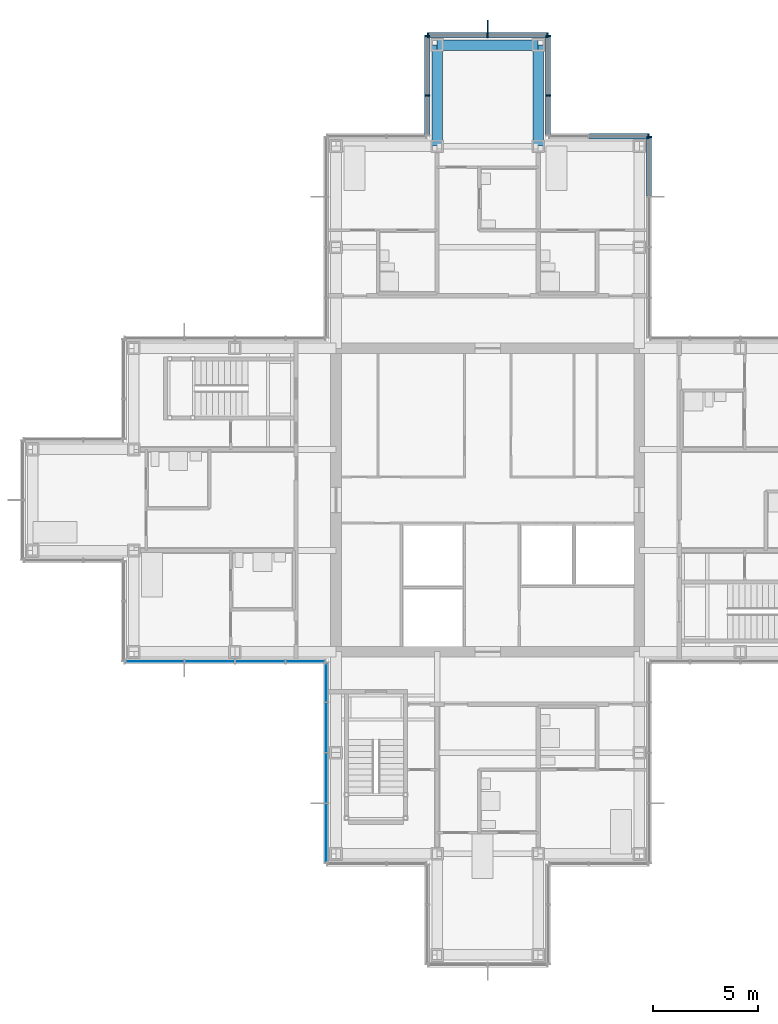
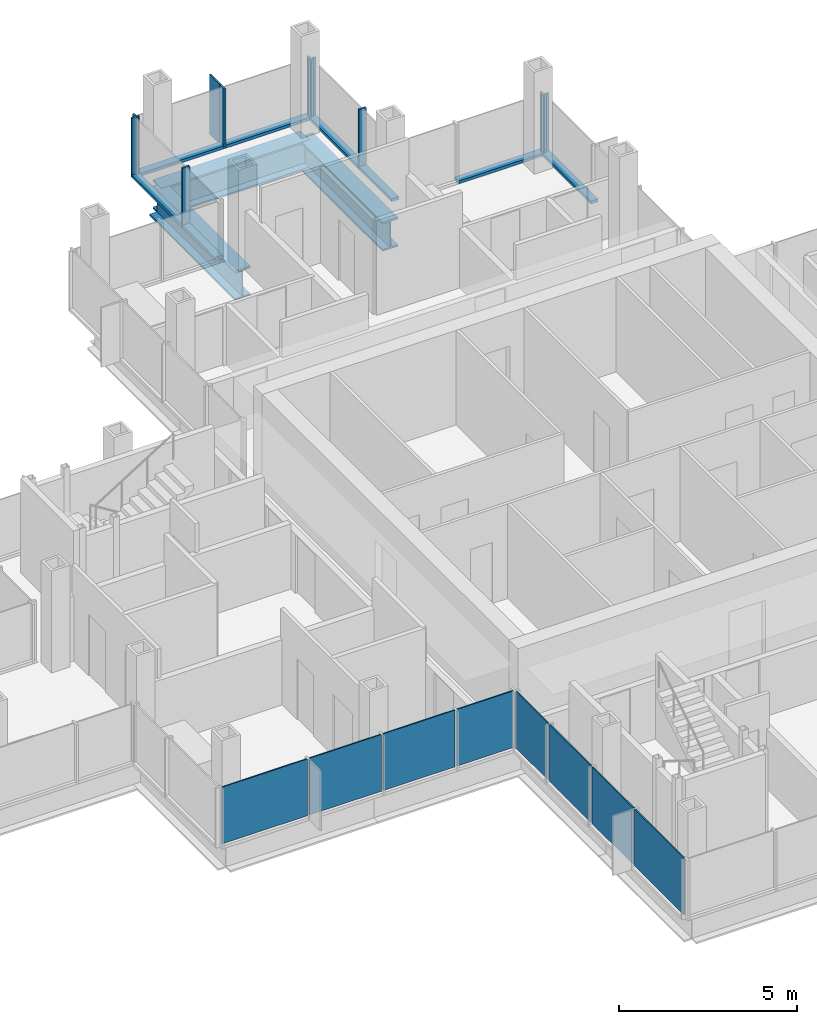
# One storey, part 9 of 17: 18 members, 8 plates, 3 beams, 7 elements without a shape of their own.
"""IFC4 building model written with IfcOpenShell, lengths in metres."""

from ifc_helpers import new_model, si_unit, direction, frame, origin, origin_2d, place, context, subcontext, project, spatial, rectangle, i_section, extrude, material, layer, layer_set, material_profile, profile_set, type_object, element, aggregate, save


model = new_model("IFC4")

# Units and contexts
model_context = context("Model", 3, precision=1e-05, world=origin(), true_north=direction((0.0, 1.0)))
body_context = subcontext(model_context, "Body", "Model", "MODEL_VIEW")
ifc_project = project(units=[si_unit("LENGTHUNIT", "METRE"), si_unit("AREAUNIT", "SQUARE_METRE"), si_unit("VOLUMEUNIT", "CUBIC_METRE"), si_unit("PLANEANGLEUNIT", "RADIAN"), si_unit("MASSUNIT", "GRAM", prefix="KILO")], contexts=[model_context])

# Site, building, storey
site_placement = place(None, origin())
site = spatial("IfcSite", under=ifc_project, at=site_placement, CompositionType="ELEMENT")
building_placement = place(site_placement, origin())
building = spatial("IfcBuilding", under=site, at=building_placement, Name="Kvirike Care Tower", CompositionType="ELEMENT")
storey_placement = place(building_placement, frame((0.0, 0.0, 186.5)))
storey = spatial("IfcBuildingStorey", under=building, at=storey_placement, Name="L51", CompositionType="ELEMENT", Elevation=186.5)

# Curtain wall, member
ifc_material_1 = material(Name="Anodised aluminium stick system", Category="aluminium")
curtain_wall_type = type_object("IfcCurtainWallType", Name="CW-C STICK CURTAIN WALL", PredefinedType="NOTDEFINED", material=ifc_material_1)
curtain_wall_1_placement = place(storey_placement, origin())
curtain_wall_1 = element("IfcCurtainWall", 1, at=curtain_wall_1_placement, inside=storey, type_object=curtain_wall_type, Name="Curtain wall L51 face 11", PredefinedType="NOTDEFINED")
ifc_material_2 = material(Name="Bronze anodised aluminium fin", Category="aluminium")
ifc_material_profile_1 = material_profile(ifc_material_2, rectangle(XDim=0.050048828125, YDim=0.60009765625, at=origin_2d()), Name="BRONZE FIN 600")
ifc_profile_set_1 = profile_set([ifc_material_profile_1], Name="Bronze anodised aluminium fin")
member_type_1 = type_object("IfcMemberType", Name="BRONZE FIN 600", PredefinedType="USERDEFINED", material=ifc_profile_set_1)
member_1_placement = place(storey_placement, frame((21.60009765625, 58.489990234375, 0.0), z_axis=(0.0, 0.0, 1.0), x_axis=(-1.0, 0.0, 0.0)))
member_1 = element("IfcMember", 2, at=member_1_placement, type_object=member_type_1, Name="Bronze fin L51 face 11.2", ObjectType="FIN", PredefinedType="USERDEFINED", context=body_context, shape_type="SweptSolid", body=[
    extrude(rectangle(XDim=0.050048828125, YDim=0.60009765625, at=origin_2d()), origin(), (0.0, 0.0, 1.0), 2.050048828125),
])

curtain_wall_2_placement = place(storey_placement, origin())
curtain_wall_2 = element("IfcCurtainWall", 3, at=curtain_wall_2_placement, inside=storey, type_object=curtain_wall_type, Name="Curtain wall L51 face 8", PredefinedType="NOTDEFINED")
ifc_material_3 = material(Name="Bronze anodised aluminium mullion", Category="aluminium")
ifc_material_profile_2 = material_profile(ifc_material_3, rectangle(XDim=0.06494140625, YDim=0.239990234375, at=origin_2d()), Name="CW-C MULLION 65x240")
ifc_profile_set_2 = profile_set([ifc_material_profile_2], Name="Bronze anodised aluminium mullion")
member_type_2 = type_object("IfcMemberType", Name="CW-C MULLION 65x240", PredefinedType="MULLION", material=ifc_profile_set_2)
member_2_placement = place(storey_placement, frame((29.27001953125, 53.237548828125, 0.0), z_axis=(0.0, 0.0, 1.0), x_axis=(0.0, 1.0, 0.0)))
member_2 = element("IfcMember", 4, at=member_2_placement, type_object=member_type_2, Name="CW-C mullion L51 face 8.5", PredefinedType="MULLION", context=body_context, shape_type="SweptSolid", body=[
    extrude(rectangle(XDim=0.06494140625, YDim=0.239990234375, at=origin_2d()), origin(), (0.0, 0.0, 1.0), 2.050048828125),
])

curtain_wall_3_placement = place(storey_placement, origin())
curtain_wall_3 = element("IfcCurtainWall", 5, at=curtain_wall_3_placement, inside=storey, type_object=curtain_wall_type, Name="Curtain wall L51 face 9", PredefinedType="NOTDEFINED")
member_3_placement = place(storey_placement, frame((29.237548828125, 53.27001953125, 0.0), z_axis=(0.0, 0.0, 1.0), x_axis=(-1.0, 0.0, 0.0)))
member_3 = element("IfcMember", 6, at=member_3_placement, type_object=member_type_2, Name="CW-C mullion L51 face 9.1", PredefinedType="MULLION", context=body_context, shape_type="SweptSolid", body=[
    extrude(rectangle(XDim=0.06494140625, YDim=0.239990234375, at=origin_2d()), origin(), (0.0, 0.0, 1.0), 2.050048828125),
])

# Curtain wall, members
curtain_wall_4_placement = place(storey_placement, origin())
curtain_wall_4 = element("IfcCurtainWall", 7, at=curtain_wall_4_placement, inside=storey, type_object=curtain_wall_type, Name="Curtain wall L51 face 10", PredefinedType="NOTDEFINED")
member_4_placement = place(storey_placement, frame((24.469970703125, 55.199951171875, 0.0), z_axis=(0.0, 0.0, 1.0), x_axis=(0.0, 1.0, 0.0)))
member_4 = element("IfcMember", 8, at=member_4_placement, type_object=member_type_2, Name="CW-C mullion L51 face 10.2", PredefinedType="MULLION", context=body_context, shape_type="SweptSolid", body=[
    extrude(rectangle(XDim=0.06494140625, YDim=0.239990234375, at=origin_2d()), origin(), (0.0, 0.0, 1.0), 2.050048828125),
])
member_5_placement = place(storey_placement, frame((24.469970703125, 58.03759765625, 0.0), z_axis=(0.0, 0.0, 1.0), x_axis=(0.0, 1.0, 0.0)))
member_5 = element("IfcMember", 9, at=member_5_placement, type_object=member_type_2, Name="CW-C mullion L51 face 10.3", PredefinedType="MULLION", context=body_context, shape_type="SweptSolid", body=[
    extrude(rectangle(XDim=0.06494140625, YDim=0.239990234375, at=origin_2d()), origin(), (0.0, 0.0, 1.0), 2.050048828125),
])

# Member
member_6_placement = place(storey_placement, frame((24.4375, 58.070068359375, 0.0), z_axis=(0.0, 0.0, 1.0), x_axis=(-1.0, 0.0, 0.0)))
member_6 = element("IfcMember", 10, at=member_6_placement, type_object=member_type_2, Name="CW-C mullion L51 face 11.1", PredefinedType="MULLION", context=body_context, shape_type="SweptSolid", body=[
    extrude(rectangle(XDim=0.06494140625, YDim=0.239990234375, at=origin_2d()), origin(), (0.0, 0.0, 1.0), 2.050048828125),
])

member_7_placement = place(storey_placement, frame((21.60009765625, 58.070068359375, 0.0), z_axis=(0.0, 0.0, 1.0), x_axis=(-1.0, 0.0, 0.0)))
member_7 = element("IfcMember", 11, at=member_7_placement, type_object=member_type_2, Name="CW-C mullion L51 face 11.2", PredefinedType="MULLION", context=body_context, shape_type="SweptSolid", body=[
    extrude(rectangle(XDim=0.06494140625, YDim=0.239990234375, at=origin_2d()), origin(), (0.0, 0.0, 1.0), 2.050048828125),
])

member_8_placement = place(storey_placement, frame((18.762451171875, 58.070068359375, 0.0), z_axis=(0.0, 0.0, 1.0), x_axis=(-1.0, 0.0, 0.0)))
member_8 = element("IfcMember", 12, at=member_8_placement, type_object=member_type_2, Name="CW-C mullion L51 face 11.3", PredefinedType="MULLION", context=body_context, shape_type="SweptSolid", body=[
    extrude(rectangle(XDim=0.06494140625, YDim=0.239990234375, at=origin_2d()), origin(), (0.0, 0.0, 1.0), 2.050048828125),
])

# Curtain wall, members
curtain_wall_5_placement = place(storey_placement, origin())
curtain_wall_5 = element("IfcCurtainWall", 13, at=curtain_wall_5_placement, inside=storey, type_object=curtain_wall_type, Name="Curtain wall L51 face 12", PredefinedType="NOTDEFINED")
member_9_placement = place(storey_placement, frame((18.72998046875, 58.03759765625, 0.0), z_axis=(0.0, 0.0, 1.0), x_axis=(0.0, -1.0, 0.0)))
member_9 = element("IfcMember", 14, at=member_9_placement, type_object=member_type_2, Name="CW-C mullion L51 face 12.1", PredefinedType="MULLION", context=body_context, shape_type="SweptSolid", body=[
    extrude(rectangle(XDim=0.06494140625, YDim=0.239990234375, at=origin_2d()), origin(), (0.0, 0.0, 1.0), 2.050048828125),
])
member_10_placement = place(storey_placement, frame((18.72998046875, 55.199951171875, 0.0), z_axis=(0.0, 0.0, 1.0), x_axis=(0.0, -1.0, 0.0)))
member_10 = element("IfcMember", 15, at=member_10_placement, type_object=member_type_2, Name="CW-C mullion L51 face 12.2", PredefinedType="MULLION", context=body_context, shape_type="SweptSolid", body=[
    extrude(rectangle(XDim=0.06494140625, YDim=0.239990234375, at=origin_2d()), origin(), (0.0, 0.0, 1.0), 2.050048828125),
])

# Member
ifc_material_4 = material(Name="Bronze anodised aluminium transom", Category="aluminium")
ifc_material_profile_3 = material_profile(ifc_material_4, rectangle(XDim=0.239990234375, YDim=0.10009765625, at=origin_2d()), Name="CW-C TRANSOM 240x100")
ifc_profile_set_3 = profile_set([ifc_material_profile_3], Name="Bronze anodised aluminium transom")
member_type_3 = type_object("IfcMemberType", Name="CW-C TRANSOM 240x100", PredefinedType="USERDEFINED", material=ifc_profile_set_3)
member_11_placement = place(storey_placement, frame((29.27001953125, 50.4326171875, 0.050048828125), z_axis=(0.0, 1.0, 0.0), x_axis=(-1.0, 0.0, 0.0)))
member_11 = element("IfcMember", 16, at=member_11_placement, type_object=member_type_3, Name="CW-C sill transom L51 face 8.4", ObjectType="TRANSOM", PredefinedType="USERDEFINED", context=body_context, shape_type="SweptSolid", body=[
    extrude(rectangle(XDim=0.239990234375, YDim=0.10009765625, at=origin_2d()), origin(), (0.0, 0.0, 1.0), 2.7724609375),
])

aggregate(curtain_wall_2, [member_2, member_11])

member_12_placement = place(storey_placement, frame((29.205078125, 53.27001953125, 0.050048828125), z_axis=(-1.0, 0.0, 0.0), x_axis=(0.0, -1.0, 0.0)))
member_12 = element("IfcMember", 17, at=member_12_placement, type_object=member_type_3, Name="CW-C sill transom L51 face 9.1", ObjectType="TRANSOM", PredefinedType="USERDEFINED", context=body_context, shape_type="SweptSolid", body=[
    extrude(rectangle(XDim=0.239990234375, YDim=0.10009765625, at=origin_2d()), origin(), (0.0, 0.0, 1.0), 2.7724609375),
])

aggregate(curtain_wall_3, [member_3, member_12])

member_13_placement = place(storey_placement, frame((24.469970703125, 53.3349609375, 0.050048828125), z_axis=(0.0, 1.0, 0.0), x_axis=(-1.0, 0.0, 0.0)))
member_13 = element("IfcMember", 18, at=member_13_placement, type_object=member_type_3, Name="CW-C sill transom L51 face 10.1", ObjectType="TRANSOM", PredefinedType="USERDEFINED", context=body_context, shape_type="SweptSolid", body=[
    extrude(rectangle(XDim=0.239990234375, YDim=0.10009765625, at=origin_2d()), origin(), (0.0, 0.0, 1.0), 1.83251953125),
])

member_14_placement = place(storey_placement, frame((24.469970703125, 55.232421875, 0.050048828125), z_axis=(0.0, 1.0, 0.0), x_axis=(-1.0, 0.0, 0.0)))
member_14 = element("IfcMember", 19, at=member_14_placement, type_object=member_type_3, Name="CW-C sill transom L51 face 10.2", ObjectType="TRANSOM", PredefinedType="USERDEFINED", context=body_context, shape_type="SweptSolid", body=[
    extrude(rectangle(XDim=0.239990234375, YDim=0.10009765625, at=origin_2d()), origin(), (0.0, 0.0, 1.0), 2.7724609375),
])

aggregate(curtain_wall_4, [member_4, member_5, member_13, member_14])

member_15_placement = place(storey_placement, frame((24.405029296875, 58.070068359375, 0.050048828125), z_axis=(-1.0, 0.0, 0.0), x_axis=(0.0, -1.0, 0.0)))
member_15 = element("IfcMember", 20, at=member_15_placement, type_object=member_type_3, Name="CW-C sill transom L51 face 11.1", ObjectType="TRANSOM", PredefinedType="USERDEFINED", context=body_context, shape_type="SweptSolid", body=[
    extrude(rectangle(XDim=0.239990234375, YDim=0.10009765625, at=origin_2d()), origin(), (0.0, 0.0, 1.0), 2.7724609375),
])

member_16_placement = place(storey_placement, frame((21.5673828125, 58.070068359375, 0.050048828125), z_axis=(-1.0, 0.0, 0.0), x_axis=(0.0, -1.0, 0.0)))
member_16 = element("IfcMember", 21, at=member_16_placement, type_object=member_type_3, Name="CW-C sill transom L51 face 11.2", ObjectType="TRANSOM", PredefinedType="USERDEFINED", context=body_context, shape_type="SweptSolid", body=[
    extrude(rectangle(XDim=0.239990234375, YDim=0.10009765625, at=origin_2d()), origin(), (0.0, 0.0, 1.0), 2.7724609375),
])

aggregate(curtain_wall_1, [member_6, member_7, member_1, member_8, member_15, member_16])

member_17_placement = place(storey_placement, frame((18.72998046875, 58.0048828125, 0.050048828125), z_axis=(0.0, -1.0, 0.0), x_axis=(1.0, 0.0, 0.0)))
member_17 = element("IfcMember", 22, at=member_17_placement, type_object=member_type_3, Name="CW-C sill transom L51 face 12.1", ObjectType="TRANSOM", PredefinedType="USERDEFINED", context=body_context, shape_type="SweptSolid", body=[
    extrude(rectangle(XDim=0.239990234375, YDim=0.10009765625, at=origin_2d()), origin(), (0.0, 0.0, 1.0), 2.7724609375),
])

member_18_placement = place(storey_placement, frame((18.72998046875, 55.16748046875, 0.050048828125), z_axis=(0.0, -1.0, 0.0), x_axis=(1.0, 0.0, 0.0)))
member_18 = element("IfcMember", 23, at=member_18_placement, type_object=member_type_3, Name="CW-C sill transom L51 face 12.2", ObjectType="TRANSOM", PredefinedType="USERDEFINED", context=body_context, shape_type="SweptSolid", body=[
    extrude(rectangle(XDim=0.239990234375, YDim=0.10009765625, at=origin_2d()), origin(), (0.0, 0.0, 1.0), 1.83251953125),
])

aggregate(curtain_wall_5, [member_9, member_10, member_17, member_18])

# Beams
ifc_material_5 = material(Name="Steel S355", Category="steel")
ifc_material_profile_4 = material_profile(ifc_material_5, i_section(OverallWidth=0.5, OverallDepth=1.0, WebThickness=0.030029296875, FlangeThickness=0.06005859375, at=origin_2d()), Name="PG 1000x500x30x60")
ifc_profile_set_4 = profile_set([ifc_material_profile_4], Name="Steel S355")
beam_type = type_object("IfcBeamType", Name="SPANDREL PG 1000x500x30x60", PredefinedType="SPANDREL", material=ifc_profile_set_4)
for number, where, z_axis, x_axis, name in (
    (24, (19.199951171875, 57.60009765625, -0.669921875), (1.0, 0.0, 0.0), (0.0, 1.0, 0.0), "Spandrel N7-N8 L51"),
    (25, (19.199951171875, 52.800048828125, -0.669921875), (0.0, 1.0, 0.0), (-1.0, 0.0, 0.0), "Spandrel M7-N7 L51"),
    (26, (24.0, 52.800048828125, -0.669921875), (0.0, 1.0, 0.0), (-1.0, 0.0, 0.0), "Spandrel M8-N8 L51"),
):
    element("IfcBeam", number, at=place(storey_placement, frame(where, z_axis=z_axis, x_axis=x_axis)), inside=storey, type_object=beam_type, Name=name, PredefinedType="SPANDREL", context=body_context, shape_type="SweptSolid", body=[
        extrude(i_section(OverallWidth=0.5, OverallDepth=1.0, WebThickness=0.030029296875, FlangeThickness=0.06005859375, at=origin_2d()), origin(), (0.0, 0.0, 1.0), 4.800048828125),
    ])

# Curtain wall, plates
curtain_wall_6_placement = place(storey_placement, origin())
curtain_wall_6 = element("IfcCurtainWall", 27, at=curtain_wall_6_placement, inside=storey, type_object=curtain_wall_type, Name="Curtain wall L51 face 21", PredefinedType="NOTDEFINED")
ifc_material_6 = material(Name="Tinted double glazed unit", Category="glass")
ifc_layer = layer(ifc_material_6, 0.0400390625)
ifc_layer_set = layer_set([ifc_layer], Name="TINTED VISION PANEL 40")
plate_type = type_object("IfcPlateType", Name="TINTED VISION PANEL 40", PredefinedType="CURTAIN_PANEL", material=ifc_layer_set)
plate_1_placement = place(storey_placement, frame((5.78125, 28.330078125, 0.10009765625), z_axis=(0.0, 0.0, 1.0), x_axis=(1.0, 0.0, 0.0)))
plate_1 = element("IfcPlate", 28, at=plate_1_placement, type_object=plate_type, Name="CW-C panel L51 face 21.1", PredefinedType="CURTAIN_PANEL", context=body_context, shape_type="SweptSolid", body=[
    extrude(rectangle(XDim=2.7724609375, YDim=0.0400390625, at=origin_2d()), origin(), (0.0, 0.0, 1.0), 1.949951171875),
])
plate_2_placement = place(storey_placement, frame((8.39990234375, 28.330078125, 0.10009765625), z_axis=(0.0, 0.0, 1.0), x_axis=(1.0, 0.0, 0.0)))
plate_2 = element("IfcPlate", 29, at=plate_2_placement, type_object=plate_type, Name="CW-C panel L51 face 21.2", PredefinedType="CURTAIN_PANEL", context=body_context, shape_type="SweptSolid", body=[
    extrude(rectangle(XDim=2.3349609375, YDim=0.0400390625, at=origin_2d()), origin(), (0.0, 0.0, 1.0), 1.949951171875),
])
plate_3_placement = place(storey_placement, frame((10.800048828125, 28.330078125, 0.10009765625), z_axis=(0.0, 0.0, 1.0), x_axis=(1.0, 0.0, 0.0)))
plate_3 = element("IfcPlate", 30, at=plate_3_placement, type_object=plate_type, Name="CW-C panel L51 face 21.3", PredefinedType="CURTAIN_PANEL", context=body_context, shape_type="SweptSolid", body=[
    extrude(rectangle(XDim=2.3349609375, YDim=0.0400390625, at=origin_2d()), origin(), (0.0, 0.0, 1.0), 1.949951171875),
])
plate_4_placement = place(storey_placement, frame((12.94873046875, 28.330078125, 0.10009765625), z_axis=(0.0, 0.0, 1.0), x_axis=(1.0, 0.0, 0.0)))
plate_4 = element("IfcPlate", 31, at=plate_4_placement, type_object=plate_type, Name="CW-C panel L51 face 21.4", PredefinedType="CURTAIN_PANEL", context=body_context, shape_type="SweptSolid", body=[
    extrude(rectangle(XDim=1.83251953125, YDim=0.0400390625, at=origin_2d()), origin(), (0.0, 0.0, 1.0), 1.949951171875),
])
aggregate(curtain_wall_6, [plate_1, plate_2, plate_3, plate_4])

curtain_wall_7_placement = place(storey_placement, origin())
curtain_wall_7 = element("IfcCurtainWall", 32, at=curtain_wall_7_placement, inside=storey, type_object=curtain_wall_type, Name="Curtain wall L51 face 22", PredefinedType="NOTDEFINED")
plate_5_placement = place(storey_placement, frame((13.929931640625, 27.3486328125, 0.10009765625), z_axis=(0.0, 0.0, 1.0), x_axis=(0.0, -1.0, 0.0)))
plate_5 = element("IfcPlate", 33, at=plate_5_placement, type_object=plate_type, Name="CW-C panel L51 face 22.1", PredefinedType="CURTAIN_PANEL", context=body_context, shape_type="SweptSolid", body=[
    extrude(rectangle(XDim=1.83251953125, YDim=0.0400390625, at=origin_2d()), origin(), (0.0, 0.0, 1.0), 1.949951171875),
])
plate_6_placement = place(storey_placement, frame((13.929931640625, 25.199951171875, 0.10009765625), z_axis=(0.0, 0.0, 1.0), x_axis=(0.0, -1.0, 0.0)))
plate_6 = element("IfcPlate", 34, at=plate_6_placement, type_object=plate_type, Name="CW-C panel L51 face 22.2", PredefinedType="CURTAIN_PANEL", context=body_context, shape_type="SweptSolid", body=[
    extrude(rectangle(XDim=2.3349609375, YDim=0.0400390625, at=origin_2d()), origin(), (0.0, 0.0, 1.0), 1.949951171875),
])
plate_7_placement = place(storey_placement, frame((13.929931640625, 22.800048828125, 0.10009765625), z_axis=(0.0, 0.0, 1.0), x_axis=(0.0, -1.0, 0.0)))
plate_7 = element("IfcPlate", 35, at=plate_7_placement, type_object=plate_type, Name="CW-C panel L51 face 22.3", PredefinedType="CURTAIN_PANEL", context=body_context, shape_type="SweptSolid", body=[
    extrude(rectangle(XDim=2.3349609375, YDim=0.0400390625, at=origin_2d()), origin(), (0.0, 0.0, 1.0), 1.949951171875),
])
plate_8_placement = place(storey_placement, frame((13.929931640625, 20.18115234375, 0.10009765625), z_axis=(0.0, 0.0, 1.0), x_axis=(0.0, -1.0, 0.0)))
plate_8 = element("IfcPlate", 36, at=plate_8_placement, type_object=plate_type, Name="CW-C panel L51 face 22.4", PredefinedType="CURTAIN_PANEL", context=body_context, shape_type="SweptSolid", body=[
    extrude(rectangle(XDim=2.7724609375, YDim=0.0400390625, at=origin_2d()), origin(), (0.0, 0.0, 1.0), 1.949951171875),
])
aggregate(curtain_wall_7, [plate_5, plate_6, plate_7, plate_8])

save(model, "model.ifc")
